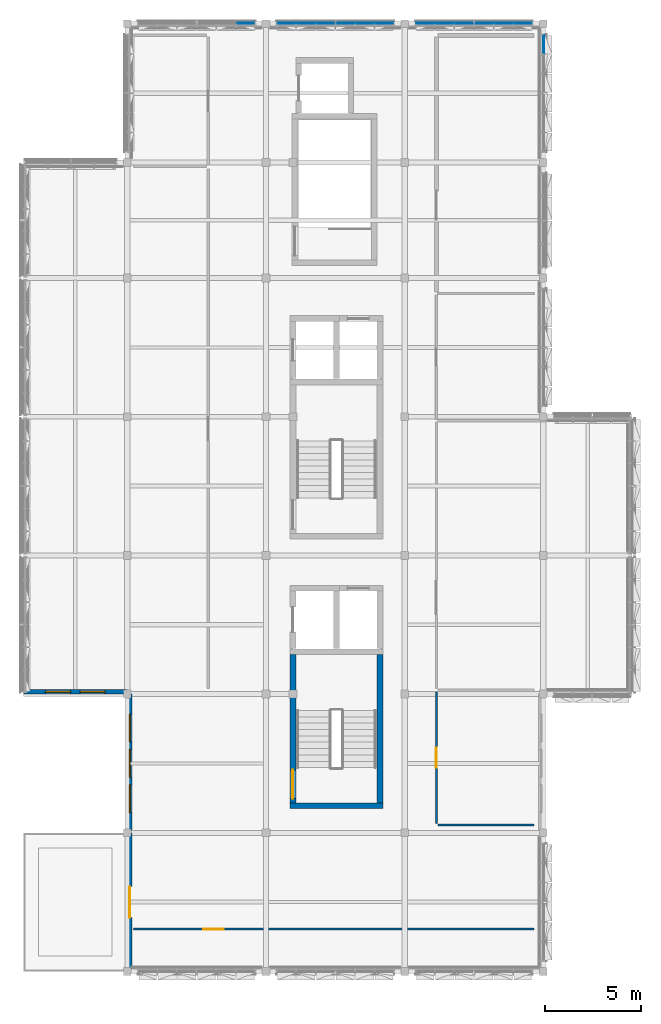
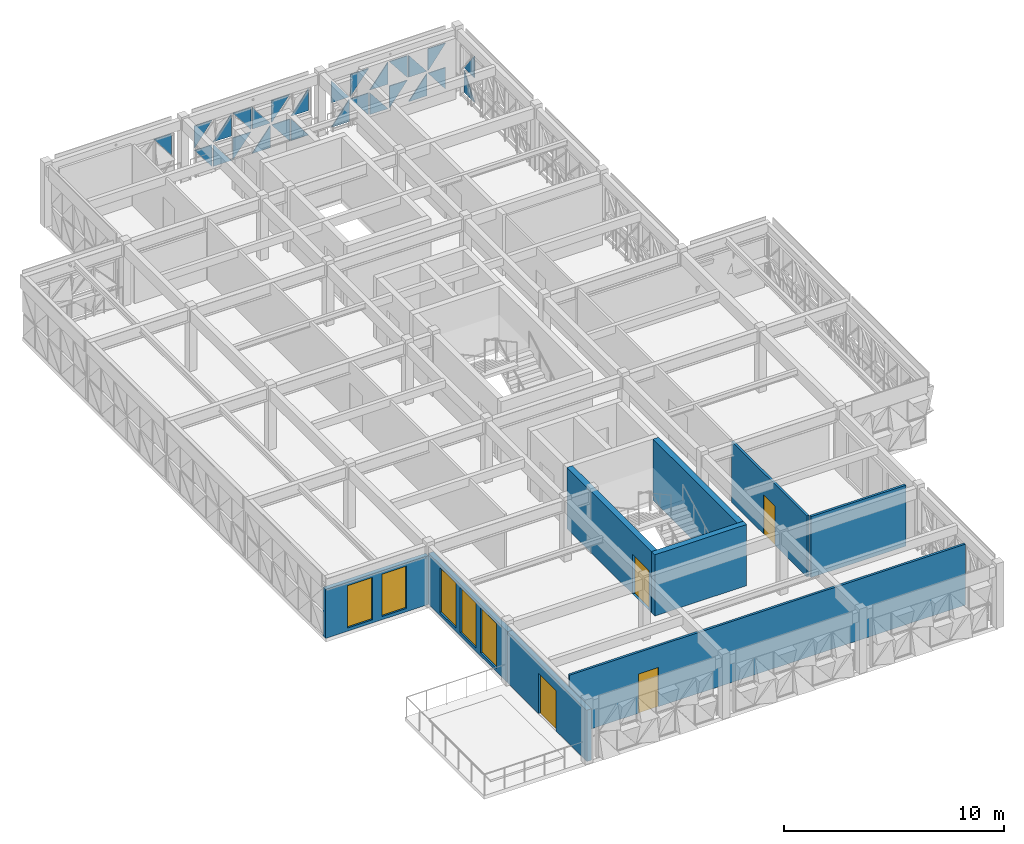
# One storey, part 15 of 25: 27 plates, 9 walls, 5 windows, 4 doors, 9 openings, 4 elements without a shape of their own.
"""IFC4 building model written with IfcOpenShell, lengths in metres."""

from ifc_helpers import new_model, si_unit, direction, frame, frame_2d, origin, place, context, subcontext, project, spatial, polyline, rectangle, outline, extrude, material, layer, layer_set, type_object, element, fill, aggregate, save


model = new_model("IFC4")

# Units and contexts
model_context = context("Model", 3, precision=1e-05, world=origin(), true_north=direction((0.0, 1.0)))
body_context = subcontext(model_context, "Body", "Model", "MODEL_VIEW")
ifc_project = project(units=[si_unit("LENGTHUNIT", "METRE"), si_unit("AREAUNIT", "SQUARE_METRE"), si_unit("VOLUMEUNIT", "CUBIC_METRE"), si_unit("PLANEANGLEUNIT", "RADIAN"), si_unit("MASSUNIT", "GRAM", prefix="KILO")], contexts=[model_context])

# Site, building, storey
site_placement = place(None, origin())
site = spatial("IfcSite", under=ifc_project, at=site_placement, CompositionType="ELEMENT")
building_placement = place(site_placement, origin())
building = spatial("IfcBuilding", under=site, at=building_placement, Name="Alvorim Cloister Faculty of Sciences", CompositionType="ELEMENT")
storey_placement = place(building_placement, frame((0.0, 0.0, 29.699951171875)))
storey = spatial("IfcBuildingStorey", under=building, at=storey_placement, Name="L08", CompositionType="ELEMENT", Elevation=29.699951171875)

# Curtain wall, plate
ifc_material_1 = material(Name="Aluminium and Low-E Glass Curtain Wall", Category="aluminium")
curtain_wall_type = type_object("IfcCurtainWallType", Name="CW-TRI-6120x2860", PredefinedType="USERDEFINED", material=ifc_material_1)
curtain_wall_1_placement = place(storey_placement, origin())
curtain_wall_1 = element("IfcCurtainWall", 1, at=curtain_wall_1_placement, inside=storey, type_object=curtain_wall_type, Name="L08 Diagonal Cassette Curtain Wall CW-0287", ObjectType="UNITISED CURTAIN WALL", PredefinedType="USERDEFINED")
ifc_material_2 = material(Name="Double Low-E Laminated Glass", Category="glass")
ifc_layer_1 = layer(ifc_material_2, 0.0400390625)
ifc_layer_set_1 = layer_set([ifc_layer_1], Name="Double Low-E Laminated Glass")
plate_type = type_object("IfcPlateType", Name="PN-GLZ-40", PredefinedType="CURTAIN_PANEL", material=ifc_layer_set_1)
plate_1_placement = place(storey_placement, frame((12.87255859375, 56.425048828125, 1.5), z_axis=(0.0, 0.0, 1.0), x_axis=(1.0, 0.0, 0.0)))
plate_1 = element("IfcPlate", 2, at=plate_1_placement, type_object=plate_type, Name="Diagonal Glazed Triangle TRI-TR", PredefinedType="CURTAIN_PANEL", context=body_context, shape_type="SweptSolid", body=[
    extrude(outline(polyline([(0.922607421875, 0.001953125), (0.922607421875, 1.219970703125), (0.001953125, 1.219970703125), (0.922607421875, 0.001953125)])), frame((0.0, 0.02490234375, 0.0), z_axis=(0.0, -1.0, 0.0), x_axis=(1.0, 0.0, 0.0)), (0.0, 0.0, 1.0), 0.050048828125),
])
aggregate(curtain_wall_1, [plate_1])

# Curtain wall, plates
curtain_wall_2_placement = place(storey_placement, origin())
curtain_wall_2 = element("IfcCurtainWall", 3, at=curtain_wall_2_placement, inside=storey, type_object=curtain_wall_type, Name="L08 Diagonal Cassette Curtain Wall CW-0288", ObjectType="UNITISED CURTAIN WALL", PredefinedType="USERDEFINED")
plate_2_placement = place(storey_placement, frame((15.0048828125, 56.425048828125, 0.14013671875), z_axis=(0.0, 0.0, 1.0), x_axis=(1.0, 0.0, 0.0)))
plate_2 = element("IfcPlate", 4, at=plate_2_placement, type_object=plate_type, Name="Diagonal Glazed Triangle TRI-TR", PredefinedType="CURTAIN_PANEL", context=body_context, shape_type="SweptSolid", body=[
    extrude(outline(polyline([(0.922607421875, 0.001953125), (0.922607421875, 1.219970703125), (0.001953125, 1.219970703125), (0.922607421875, 0.001953125)])), frame((0.0, 0.02490234375, 0.0), z_axis=(0.0, -1.0, 0.0), x_axis=(1.0, 0.0, 0.0)), (0.0, 0.0, 1.0), 0.050048828125),
])
plate_3_placement = place(storey_placement, frame((15.0048828125, 56.425048828125, 1.5), z_axis=(0.0, 0.0, 1.0), x_axis=(1.0, 0.0, 0.0)))
plate_3 = element("IfcPlate", 5, at=plate_3_placement, type_object=plate_type, Name="Diagonal Glazed Triangle TRI-TL", PredefinedType="CURTAIN_PANEL", context=body_context, shape_type="SweptSolid", body=[
    extrude(outline(polyline([(0.920654296875, 1.219970703125), (0.0, 1.219970703125), (0.0, 0.001953125), (0.920654296875, 1.219970703125)])), frame((0.0, 0.02490234375, 0.0), z_axis=(0.0, -1.0, 0.0), x_axis=(1.0, 0.0, 0.0)), (0.0, 0.0, 1.0), 0.050048828125),
])
plate_4_placement = place(storey_placement, frame((15.992431640625, 56.425048828125, 0.14013671875), z_axis=(0.0, 0.0, 1.0), x_axis=(1.0, 0.0, 0.0)))
plate_4 = element("IfcPlate", 6, at=plate_4_placement, type_object=plate_type, Name="Diagonal Glazed Triangle TRI-BL", PredefinedType="CURTAIN_PANEL", context=body_context, shape_type="SweptSolid", body=[
    extrude(outline(polyline([(0.0, 0.0), (0.953125, 0.0), (0.0, 1.218017578125), (0.0, 0.0)])), frame((0.0, 0.02490234375, 0.0), z_axis=(0.0, -1.0, 0.0), x_axis=(1.0, 0.0, 0.0)), (0.0, 0.0, 1.0), 0.050048828125),
])
plate_5_placement = place(storey_placement, frame((15.992431640625, 56.425048828125, 1.5), z_axis=(0.0, 0.0, 1.0), x_axis=(1.0, 0.0, 0.0)))
plate_5 = element("IfcPlate", 7, at=plate_5_placement, type_object=plate_type, Name="Diagonal Glazed Triangle TRI-BR", PredefinedType="CURTAIN_PANEL", context=body_context, shape_type="SweptSolid", body=[
    extrude(outline(polyline([(0.001953125, 0.0), (0.955078125, 0.0), (0.955078125, 1.218017578125), (0.001953125, 0.0)])), frame((0.0, 0.02490234375, 0.0), z_axis=(0.0, -1.0, 0.0), x_axis=(1.0, 0.0, 0.0)), (0.0, 0.0, 1.0), 0.050048828125),
])
plate_6_placement = place(storey_placement, frame((17.012451171875, 56.425048828125, 0.14013671875), z_axis=(0.0, 0.0, 1.0), x_axis=(1.0, 0.0, 0.0)))
plate_6 = element("IfcPlate", 8, at=plate_6_placement, type_object=plate_type, Name="Diagonal Glazed Triangle TRI-TL", PredefinedType="CURTAIN_PANEL", context=body_context, shape_type="SweptSolid", body=[
    extrude(outline(polyline([(0.953125, 1.219970703125), (0.0, 1.219970703125), (0.0, 0.001953125), (0.953125, 1.219970703125)])), frame((0.0, 0.02490234375, 0.0), z_axis=(0.0, -1.0, 0.0), x_axis=(1.0, 0.0, 0.0)), (0.0, 0.0, 1.0), 0.050048828125),
])
plate_7_placement = place(storey_placement, frame((17.012451171875, 56.425048828125, 1.5), z_axis=(0.0, 0.0, 1.0), x_axis=(1.0, 0.0, 0.0)))
plate_7 = element("IfcPlate", 9, at=plate_7_placement, type_object=plate_type, Name="Diagonal Glazed Triangle TRI-TR", PredefinedType="CURTAIN_PANEL", context=body_context, shape_type="SweptSolid", body=[
    extrude(outline(polyline([(0.955078125, 0.001953125), (0.955078125, 1.219970703125), (0.001953125, 1.219970703125), (0.955078125, 0.001953125)])), frame((0.0, 0.02490234375, 0.0), z_axis=(0.0, -1.0, 0.0), x_axis=(1.0, 0.0, 0.0)), (0.0, 0.0, 1.0), 0.050048828125),
])
plate_8_placement = place(storey_placement, frame((18.032470703125, 56.425048828125, 0.14013671875), z_axis=(0.0, 0.0, 1.0), x_axis=(1.0, 0.0, 0.0)))
plate_8 = element("IfcPlate", 10, at=plate_8_placement, type_object=plate_type, Name="Diagonal Glazed Triangle TRI-BR", PredefinedType="CURTAIN_PANEL", context=body_context, shape_type="SweptSolid", body=[
    extrude(outline(polyline([(0.001953125, 0.0), (0.955078125, 0.0), (0.955078125, 1.218017578125), (0.001953125, 0.0)])), frame((0.0, 0.02490234375, 0.0), z_axis=(0.0, -1.0, 0.0), x_axis=(1.0, 0.0, 0.0)), (0.0, 0.0, 1.0), 0.050048828125),
])
plate_9_placement = place(storey_placement, frame((18.032470703125, 56.425048828125, 1.5), z_axis=(0.0, 0.0, 1.0), x_axis=(1.0, 0.0, 0.0)))
plate_9 = element("IfcPlate", 11, at=plate_9_placement, type_object=plate_type, Name="Diagonal Glazed Triangle TRI-BL", PredefinedType="CURTAIN_PANEL", context=body_context, shape_type="SweptSolid", body=[
    extrude(outline(polyline([(0.0, 0.0), (0.953125, 0.0), (0.0, 1.218017578125), (0.0, 0.0)])), frame((0.0, 0.02490234375, 0.0), z_axis=(0.0, -1.0, 0.0), x_axis=(1.0, 0.0, 0.0)), (0.0, 0.0, 1.0), 0.050048828125),
])
plate_10_placement = place(storey_placement, frame((19.052490234375, 56.425048828125, 0.14013671875), z_axis=(0.0, 0.0, 1.0), x_axis=(1.0, 0.0, 0.0)))
plate_10 = element("IfcPlate", 12, at=plate_10_placement, type_object=plate_type, Name="Diagonal Glazed Triangle TRI-TR", PredefinedType="CURTAIN_PANEL", context=body_context, shape_type="SweptSolid", body=[
    extrude(outline(polyline([(0.955078125, 0.001953125), (0.955078125, 1.219970703125), (0.001953125, 1.219970703125), (0.955078125, 0.001953125)])), frame((0.0, 0.02490234375, 0.0), z_axis=(0.0, -1.0, 0.0), x_axis=(1.0, 0.0, 0.0)), (0.0, 0.0, 1.0), 0.050048828125),
])
plate_11_placement = place(storey_placement, frame((19.052490234375, 56.425048828125, 1.5), z_axis=(0.0, 0.0, 1.0), x_axis=(1.0, 0.0, 0.0)))
plate_11 = element("IfcPlate", 13, at=plate_11_placement, type_object=plate_type, Name="Diagonal Glazed Triangle TRI-TL", PredefinedType="CURTAIN_PANEL", context=body_context, shape_type="SweptSolid", body=[
    extrude(outline(polyline([(0.953125, 1.219970703125), (0.0, 1.219970703125), (0.0, 0.001953125), (0.953125, 1.219970703125)])), frame((0.0, 0.02490234375, 0.0), z_axis=(0.0, -1.0, 0.0), x_axis=(1.0, 0.0, 0.0)), (0.0, 0.0, 1.0), 0.050048828125),
])
plate_12_placement = place(storey_placement, frame((20.072509765625, 56.425048828125, 0.14013671875), z_axis=(0.0, 0.0, 1.0), x_axis=(1.0, 0.0, 0.0)))
plate_12 = element("IfcPlate", 14, at=plate_12_placement, type_object=plate_type, Name="Diagonal Glazed Triangle TRI-BL", PredefinedType="CURTAIN_PANEL", context=body_context, shape_type="SweptSolid", body=[
    extrude(outline(polyline([(0.0, 0.0), (0.920654296875, 0.0), (0.0, 1.218017578125), (0.0, 0.0)])), frame((0.0, 0.02490234375, 0.0), z_axis=(0.0, -1.0, 0.0), x_axis=(1.0, 0.0, 0.0)), (0.0, 0.0, 1.0), 0.050048828125),
])
plate_13_placement = place(storey_placement, frame((20.072509765625, 56.425048828125, 1.5), z_axis=(0.0, 0.0, 1.0), x_axis=(1.0, 0.0, 0.0)))
plate_13 = element("IfcPlate", 15, at=plate_13_placement, type_object=plate_type, Name="Diagonal Glazed Triangle TRI-BR", PredefinedType="CURTAIN_PANEL", context=body_context, shape_type="SweptSolid", body=[
    extrude(outline(polyline([(0.001953125, 0.0), (0.922607421875, 0.0), (0.922607421875, 1.218017578125), (0.001953125, 0.0)])), frame((0.0, 0.02490234375, 0.0), z_axis=(0.0, -1.0, 0.0), x_axis=(1.0, 0.0, 0.0)), (0.0, 0.0, 1.0), 0.050048828125),
])
aggregate(curtain_wall_2, [plate_2, plate_3, plate_4, plate_5, plate_6, plate_7, plate_8, plate_9, plate_10, plate_11, plate_12, plate_13])

curtain_wall_3_placement = place(storey_placement, origin())
curtain_wall_3 = element("IfcCurtainWall", 16, at=curtain_wall_3_placement, inside=storey, type_object=curtain_wall_type, Name="L08 Diagonal Cassette Curtain Wall CW-0289", ObjectType="UNITISED CURTAIN WALL", PredefinedType="USERDEFINED")
plate_14_placement = place(storey_placement, frame((22.205078125, 56.425048828125, 0.14013671875), z_axis=(0.0, 0.0, 1.0), x_axis=(1.0, 0.0, 0.0)))
plate_14 = element("IfcPlate", 17, at=plate_14_placement, type_object=plate_type, Name="Diagonal Glazed Triangle TRI-BR", PredefinedType="CURTAIN_PANEL", context=body_context, shape_type="SweptSolid", body=[
    extrude(outline(polyline([(0.001953125, 0.0), (0.922607421875, 0.0), (0.922607421875, 1.218017578125), (0.001953125, 0.0)])), frame((0.0, 0.02490234375, 0.0), z_axis=(0.0, -1.0, 0.0), x_axis=(1.0, 0.0, 0.0)), (0.0, 0.0, 1.0), 0.050048828125),
])
plate_15_placement = place(storey_placement, frame((22.205078125, 56.425048828125, 1.5), z_axis=(0.0, 0.0, 1.0), x_axis=(1.0, 0.0, 0.0)))
plate_15 = element("IfcPlate", 18, at=plate_15_placement, type_object=plate_type, Name="Diagonal Glazed Triangle TRI-BL", PredefinedType="CURTAIN_PANEL", context=body_context, shape_type="SweptSolid", body=[
    extrude(outline(polyline([(0.0, 0.0), (0.920654296875, 0.0), (0.0, 1.218017578125), (0.0, 0.0)])), frame((0.0, 0.02490234375, 0.0), z_axis=(0.0, -1.0, 0.0), x_axis=(1.0, 0.0, 0.0)), (0.0, 0.0, 1.0), 0.050048828125),
])
plate_16_placement = place(storey_placement, frame((23.1923828125, 56.425048828125, 0.14013671875), z_axis=(0.0, 0.0, 1.0), x_axis=(1.0, 0.0, 0.0)))
plate_16 = element("IfcPlate", 19, at=plate_16_placement, type_object=plate_type, Name="Diagonal Glazed Triangle TRI-TR", PredefinedType="CURTAIN_PANEL", context=body_context, shape_type="SweptSolid", body=[
    extrude(outline(polyline([(0.955078125, 0.001953125), (0.955078125, 1.219970703125), (0.001953125, 1.219970703125), (0.955078125, 0.001953125)])), frame((0.0, 0.02490234375, 0.0), z_axis=(0.0, -1.0, 0.0), x_axis=(1.0, 0.0, 0.0)), (0.0, 0.0, 1.0), 0.050048828125),
])
plate_17_placement = place(storey_placement, frame((23.1923828125, 56.425048828125, 1.5), z_axis=(0.0, 0.0, 1.0), x_axis=(1.0, 0.0, 0.0)))
plate_17 = element("IfcPlate", 20, at=plate_17_placement, type_object=plate_type, Name="Diagonal Glazed Triangle TRI-TL", PredefinedType="CURTAIN_PANEL", context=body_context, shape_type="SweptSolid", body=[
    extrude(outline(polyline([(0.953125, 1.219970703125), (0.0, 1.219970703125), (0.0, 0.001953125), (0.953125, 1.219970703125)])), frame((0.0, 0.02490234375, 0.0), z_axis=(0.0, -1.0, 0.0), x_axis=(1.0, 0.0, 0.0)), (0.0, 0.0, 1.0), 0.050048828125),
])
plate_18_placement = place(storey_placement, frame((24.21240234375, 56.425048828125, 0.14013671875), z_axis=(0.0, 0.0, 1.0), x_axis=(1.0, 0.0, 0.0)))
plate_18 = element("IfcPlate", 21, at=plate_18_placement, type_object=plate_type, Name="Diagonal Glazed Triangle TRI-BL", PredefinedType="CURTAIN_PANEL", context=body_context, shape_type="SweptSolid", body=[
    extrude(outline(polyline([(0.0, 0.0), (0.953125, 0.0), (0.0, 1.218017578125), (0.0, 0.0)])), frame((0.0, 0.02490234375, 0.0), z_axis=(0.0, -1.0, 0.0), x_axis=(1.0, 0.0, 0.0)), (0.0, 0.0, 1.0), 0.050048828125),
])
plate_19_placement = place(storey_placement, frame((24.21240234375, 56.425048828125, 1.5), z_axis=(0.0, 0.0, 1.0), x_axis=(1.0, 0.0, 0.0)))
plate_19 = element("IfcPlate", 22, at=plate_19_placement, type_object=plate_type, Name="Diagonal Glazed Triangle TRI-BR", PredefinedType="CURTAIN_PANEL", context=body_context, shape_type="SweptSolid", body=[
    extrude(outline(polyline([(0.001953125, 0.0), (0.955078125, 0.0), (0.955078125, 1.218017578125), (0.001953125, 0.0)])), frame((0.0, 0.02490234375, 0.0), z_axis=(0.0, -1.0, 0.0), x_axis=(1.0, 0.0, 0.0)), (0.0, 0.0, 1.0), 0.050048828125),
])
plate_20_placement = place(storey_placement, frame((25.232421875, 56.425048828125, 0.14013671875), z_axis=(0.0, 0.0, 1.0), x_axis=(1.0, 0.0, 0.0)))
plate_20 = element("IfcPlate", 23, at=plate_20_placement, type_object=plate_type, Name="Diagonal Glazed Triangle TRI-TL", PredefinedType="CURTAIN_PANEL", context=body_context, shape_type="SweptSolid", body=[
    extrude(outline(polyline([(0.953125, 1.219970703125), (0.0, 1.219970703125), (0.0, 0.001953125), (0.953125, 1.219970703125)])), frame((0.0, 0.02490234375, 0.0), z_axis=(0.0, -1.0, 0.0), x_axis=(1.0, 0.0, 0.0)), (0.0, 0.0, 1.0), 0.050048828125),
])
plate_21_placement = place(storey_placement, frame((25.232421875, 56.425048828125, 1.5), z_axis=(0.0, 0.0, 1.0), x_axis=(1.0, 0.0, 0.0)))
plate_21 = element("IfcPlate", 24, at=plate_21_placement, type_object=plate_type, Name="Diagonal Glazed Triangle TRI-TR", PredefinedType="CURTAIN_PANEL", context=body_context, shape_type="SweptSolid", body=[
    extrude(outline(polyline([(0.955078125, 0.001953125), (0.955078125, 1.219970703125), (0.001953125, 1.219970703125), (0.955078125, 0.001953125)])), frame((0.0, 0.02490234375, 0.0), z_axis=(0.0, -1.0, 0.0), x_axis=(1.0, 0.0, 0.0)), (0.0, 0.0, 1.0), 0.050048828125),
])
plate_22_placement = place(storey_placement, frame((26.25244140625, 56.425048828125, 0.14013671875), z_axis=(0.0, 0.0, 1.0), x_axis=(1.0, 0.0, 0.0)))
plate_22 = element("IfcPlate", 25, at=plate_22_placement, type_object=plate_type, Name="Diagonal Glazed Triangle TRI-BR", PredefinedType="CURTAIN_PANEL", context=body_context, shape_type="SweptSolid", body=[
    extrude(outline(polyline([(0.001953125, 0.0), (0.955078125, 0.0), (0.955078125, 1.218017578125), (0.001953125, 0.0)])), frame((0.0, 0.02490234375, 0.0), z_axis=(0.0, -1.0, 0.0), x_axis=(1.0, 0.0, 0.0)), (0.0, 0.0, 1.0), 0.050048828125),
])
plate_23_placement = place(storey_placement, frame((26.25244140625, 56.425048828125, 1.5), z_axis=(0.0, 0.0, 1.0), x_axis=(1.0, 0.0, 0.0)))
plate_23 = element("IfcPlate", 26, at=plate_23_placement, type_object=plate_type, Name="Diagonal Glazed Triangle TRI-BL", PredefinedType="CURTAIN_PANEL", context=body_context, shape_type="SweptSolid", body=[
    extrude(outline(polyline([(0.0, 0.0), (0.953125, 0.0), (0.0, 1.218017578125), (0.0, 0.0)])), frame((0.0, 0.02490234375, 0.0), z_axis=(0.0, -1.0, 0.0), x_axis=(1.0, 0.0, 0.0)), (0.0, 0.0, 1.0), 0.050048828125),
])
plate_24_placement = place(storey_placement, frame((27.2724609375, 56.425048828125, 0.14013671875), z_axis=(0.0, 0.0, 1.0), x_axis=(1.0, 0.0, 0.0)))
plate_24 = element("IfcPlate", 27, at=plate_24_placement, type_object=plate_type, Name="Diagonal Glazed Triangle TRI-TR", PredefinedType="CURTAIN_PANEL", context=body_context, shape_type="SweptSolid", body=[
    extrude(outline(polyline([(0.922607421875, 0.001953125), (0.922607421875, 1.219970703125), (0.001953125, 1.219970703125), (0.922607421875, 0.001953125)])), frame((0.0, 0.02490234375, 0.0), z_axis=(0.0, -1.0, 0.0), x_axis=(1.0, 0.0, 0.0)), (0.0, 0.0, 1.0), 0.050048828125),
])
plate_25_placement = place(storey_placement, frame((27.2724609375, 56.425048828125, 1.5), z_axis=(0.0, 0.0, 1.0), x_axis=(1.0, 0.0, 0.0)))
plate_25 = element("IfcPlate", 28, at=plate_25_placement, type_object=plate_type, Name="Diagonal Glazed Triangle TRI-TL", PredefinedType="CURTAIN_PANEL", context=body_context, shape_type="SweptSolid", body=[
    extrude(outline(polyline([(0.920654296875, 1.219970703125), (0.0, 1.219970703125), (0.0, 0.001953125), (0.920654296875, 1.219970703125)])), frame((0.0, 0.02490234375, 0.0), z_axis=(0.0, -1.0, 0.0), x_axis=(1.0, 0.0, 0.0)), (0.0, 0.0, 1.0), 0.050048828125),
])
aggregate(curtain_wall_3, [plate_14, plate_15, plate_16, plate_17, plate_18, plate_19, plate_20, plate_21, plate_22, plate_23, plate_24, plate_25])

curtain_wall_4_placement = place(storey_placement, origin())
curtain_wall_4 = element("IfcCurtainWall", 29, at=curtain_wall_4_placement, inside=storey, type_object=curtain_wall_type, Name="L08 Diagonal Cassette Curtain Wall CW-0290", ObjectType="UNITISED CURTAIN WALL", PredefinedType="USERDEFINED")
plate_26_placement = place(storey_placement, frame((28.824951171875, 54.87255859375, 0.14013671875), z_axis=(0.0, 0.0, 1.0), x_axis=(0.0, 1.0, 0.0)))
plate_26 = element("IfcPlate", 30, at=plate_26_placement, type_object=plate_type, Name="Diagonal Glazed Triangle TRI-BR", PredefinedType="CURTAIN_PANEL", context=body_context, shape_type="SweptSolid", body=[
    extrude(outline(polyline([(0.001953125, 0.0), (0.922607421875, 0.0), (0.922607421875, 1.218017578125), (0.001953125, 0.0)])), frame((0.0, 0.02490234375, 0.0), z_axis=(0.0, -1.0, 0.0), x_axis=(1.0, 0.0, 0.0)), (0.0, 0.0, 1.0), 0.050048828125),
])
plate_27_placement = place(storey_placement, frame((28.824951171875, 54.87255859375, 1.5), z_axis=(0.0, 0.0, 1.0), x_axis=(0.0, 1.0, 0.0)))
plate_27 = element("IfcPlate", 31, at=plate_27_placement, type_object=plate_type, Name="Diagonal Glazed Triangle TRI-BL", PredefinedType="CURTAIN_PANEL", context=body_context, shape_type="SweptSolid", body=[
    extrude(outline(polyline([(0.0, 0.0), (0.920654296875, 0.0), (0.0, 1.218017578125), (0.0, 0.0)])), frame((0.0, 0.02490234375, 0.0), z_axis=(0.0, -1.0, 0.0), x_axis=(1.0, 0.0, 0.0)), (0.0, 0.0, 1.0), 0.050048828125),
])
aggregate(curtain_wall_4, [plate_26, plate_27])

# Wall, opening, door
ifc_material_3 = material(Name="Cross-Laminated Timber CLT C24", Category="wood")
ifc_layer_2 = layer(ifc_material_3, 0.239990234375)
ifc_layer_set_2 = layer_set([ifc_layer_2], Name="Cross-Laminated Timber CLT C24")
wall_type_1 = type_object("IfcWallType", Name="WL-EXT-TMB-240", PredefinedType="SOLIDWALL", material=ifc_layer_set_2)
wall_1_placement = place(storey_placement, frame((7.320068359375, 7.199951171875, 0.0), z_axis=(0.0, 0.0, 1.0), x_axis=(0.0, 1.0, 0.0)))
wall_1 = element("IfcWall", 32, at=wall_1_placement, inside=storey, type_object=wall_type_1, Name="L08 Exterior Wall WL-0244", PredefinedType="SOLIDWALL", context=body_context, shape_type="SweptSolid", body=[
    extrude(rectangle(XDim=7.199951171875, YDim=0.239990234375, at=frame_2d((3.60009765625, 0.0))), origin(), (0.0, 0.0, 1.0), 2.85009765625),
])
opening_1_placement = place(wall_1_placement, frame((2.800048828125, 0.0, 0.0)))
opening_1 = element("IfcOpeningElement", 33, at=opening_1_placement, cuts=wall_1, Name="Opening TD-13", PredefinedType="OPENING", context=body_context, shape_type="SweptSolid", body=[
    extrude(rectangle(XDim=1.60009765625, YDim=2.25, at=frame_2d((0.800048828125, 1.125))), frame((0.0, 0.1318359375, 0.0), z_axis=(0.0, -1.0, 0.0), x_axis=(1.0, 0.0, 0.0)), (0.0, 0.0, 1.0), 0.263916015625),
])
ifc_material_4 = material(Name="Aluminium Alloy 6063-T6", Category="aluminium")
door_type_1 = type_object("IfcDoorType", Name="DR-TER-1600x2250", OperationType="NOTDEFINED", PredefinedType="DOOR", material=ifc_material_4)
door_1_placement = place(opening_1_placement, origin())
door_1 = element("IfcDoor", 34, at=door_1_placement, inside=storey, type_object=door_type_1, Name="L08 South-West Cantilever Sky Terrace Access Door TD-13", OperationType="DOUBLE_DOOR_SINGLE_SWING", OverallHeight=2.25, OverallWidth=1.60009765625, PredefinedType="DOOR", context=body_context, shape_type="SweptSolid", body=[
    extrude(rectangle(XDim=1.60009765625, YDim=2.25, at=frame_2d((0.800048828125, 1.125))), frame((0.0, 0.02490234375, 0.0), z_axis=(0.0, -1.0, 0.0), x_axis=(1.0, 0.0, 0.0)), (0.0, 0.0, 1.0), 0.050048828125),
])
fill(opening_1, door_1)

# Wall, openings, windows
wall_2_placement = place(storey_placement, frame((7.320068359375, 14.39990234375, 0.0), z_axis=(0.0, 0.0, 1.0), x_axis=(0.0, 1.0, 0.0)))
wall_2 = element("IfcWall", 35, at=wall_2_placement, inside=storey, type_object=wall_type_1, Name="L08 Exterior Wall WL-0245", PredefinedType="SOLIDWALL", context=body_context, shape_type="SweptSolid", body=[
    extrude(rectangle(XDim=7.2001953125, YDim=0.239990234375, at=frame_2d((3.60009765625, 0.0))), origin(), (0.0, 0.0, 1.0), 2.85009765625),
])
opening_2_placement = place(wall_2_placement, frame((1.03759765625, 0.0, 0.179931640625)))
opening_2 = element("IfcOpeningElement", 36, at=opening_2_placement, cuts=wall_2, Name="Opening W-17", PredefinedType="OPENING", context=body_context, shape_type="SweptSolid", body=[
    extrude(rectangle(XDim=1.449951171875, YDim=2.5, at=frame_2d((0.72509765625, 1.25))), frame((0.0, 0.1318359375, 0.0), z_axis=(0.0, -1.0, 0.0), x_axis=(1.0, 0.0, 0.0)), (0.0, 0.0, 1.0), 0.263916015625),
])
opening_3_placement = place(wall_2_placement, frame((2.875, 0.0, 0.179931640625)))
opening_3 = element("IfcOpeningElement", 37, at=opening_3_placement, cuts=wall_2, Name="Opening W-17", PredefinedType="OPENING", context=body_context, shape_type="SweptSolid", body=[
    extrude(rectangle(XDim=1.449951171875, YDim=2.5, at=frame_2d((0.72509765625, 1.25))), frame((0.0, 0.1318359375, 0.0), z_axis=(0.0, -1.0, 0.0), x_axis=(1.0, 0.0, 0.0)), (0.0, 0.0, 1.0), 0.263916015625),
])
opening_4_placement = place(wall_2_placement, frame((4.71240234375, 0.0, 0.179931640625)))
opening_4 = element("IfcOpeningElement", 38, at=opening_4_placement, cuts=wall_2, Name="Opening W-17", PredefinedType="OPENING", context=body_context, shape_type="SweptSolid", body=[
    extrude(rectangle(XDim=1.449951171875, YDim=2.5, at=frame_2d((0.72509765625, 1.25))), frame((0.0, 0.1318359375, 0.0), z_axis=(0.0, -1.0, 0.0), x_axis=(1.0, 0.0, 0.0)), (0.0, 0.0, 1.0), 0.263916015625),
])
window_type_1 = type_object("IfcWindowType", Name="WN-LAB-1450x2500", PartitioningType="SINGLE_PANEL", PredefinedType="WINDOW", material=ifc_material_2)
window_1_placement = place(opening_2_placement, origin())
window_1 = element("IfcWindow", 39, at=window_1_placement, inside=storey, type_object=window_type_1, Name="L08 Full-Height Entrance Atrium Glazed Bay WN-0261", OverallHeight=2.5, OverallWidth=1.449951171875, PartitioningType="SINGLE_PANEL", PredefinedType="WINDOW", context=body_context, shape_type="SweptSolid", body=[
    extrude(rectangle(XDim=1.449951171875, YDim=2.5, at=frame_2d((0.72509765625, 1.25))), frame((0.0, 0.030029296875, 0.0), z_axis=(0.0, -1.0, 0.0), x_axis=(1.0, 0.0, 0.0)), (0.0, 0.0, 1.0), 0.06005859375),
])
fill(opening_2, window_1)
window_2_placement = place(opening_3_placement, origin())
window_2 = element("IfcWindow", 40, at=window_2_placement, inside=storey, type_object=window_type_1, Name="L08 Full-Height Entrance Atrium Glazed Bay WN-0262", OverallHeight=2.5, OverallWidth=1.449951171875, PartitioningType="SINGLE_PANEL", PredefinedType="WINDOW", context=body_context, shape_type="SweptSolid", body=[
    extrude(rectangle(XDim=1.449951171875, YDim=2.5, at=frame_2d((0.72509765625, 1.25))), frame((0.0, 0.030029296875, 0.0), z_axis=(0.0, -1.0, 0.0), x_axis=(1.0, 0.0, 0.0)), (0.0, 0.0, 1.0), 0.06005859375),
])
fill(opening_3, window_2)
window_3_placement = place(opening_4_placement, origin())
window_3 = element("IfcWindow", 41, at=window_3_placement, inside=storey, type_object=window_type_1, Name="L08 Full-Height Entrance Atrium Glazed Bay WN-0263", OverallHeight=2.5, OverallWidth=1.449951171875, PartitioningType="SINGLE_PANEL", PredefinedType="WINDOW", context=body_context, shape_type="SweptSolid", body=[
    extrude(rectangle(XDim=1.449951171875, YDim=2.5, at=frame_2d((0.72509765625, 1.25))), frame((0.0, 0.030029296875, 0.0), z_axis=(0.0, -1.0, 0.0), x_axis=(1.0, 0.0, 0.0)), (0.0, 0.0, 1.0), 0.06005859375),
])
fill(opening_4, window_3)

wall_3_placement = place(storey_placement, frame((1.800048828125, 21.719970703125, 0.0), z_axis=(0.0, 0.0, 1.0), x_axis=(1.0, 0.0, 0.0)))
wall_3 = element("IfcWall", 42, at=wall_3_placement, inside=storey, type_object=wall_type_1, Name="L08 Exterior Wall WL-0246", PredefinedType="SOLIDWALL", context=body_context, shape_type="SweptSolid", body=[
    extrude(rectangle(XDim=5.39990234375, YDim=0.239990234375, at=frame_2d((2.699951171875, 0.0))), origin(), (0.0, 0.0, 1.0), 2.7060546875),
])
opening_5_placement = place(wall_3_placement, frame((1.14990234375, 0.0, 0.179931640625)))
opening_5 = element("IfcOpeningElement", 43, at=opening_5_placement, cuts=wall_3, Name="Opening W-21", PredefinedType="OPENING", context=body_context, shape_type="SweptSolid", body=[
    extrude(rectangle(XDim=1.300048828125, YDim=2.35009765625, at=frame_2d((0.64990234375, 1.175048828125))), frame((0.0, 0.1318359375, 0.0), z_axis=(0.0, -1.0, 0.0), x_axis=(1.0, 0.0, 0.0)), (0.0, 0.0, 1.0), 0.263916015625),
])
opening_6_placement = place(wall_3_placement, frame((2.949951171875, 0.0, 0.179931640625)))
opening_6 = element("IfcOpeningElement", 44, at=opening_6_placement, cuts=wall_3, Name="Opening W-21", PredefinedType="OPENING", context=body_context, shape_type="SweptSolid", body=[
    extrude(rectangle(XDim=1.300048828125, YDim=2.35009765625, at=frame_2d((0.64990234375, 1.175048828125))), frame((0.0, 0.1318359375, 0.0), z_axis=(0.0, -1.0, 0.0), x_axis=(1.0, 0.0, 0.0)), (0.0, 0.0, 1.0), 0.263916015625),
])
window_type_2 = type_object("IfcWindowType", Name="WN-OFF-1300x2350", PartitioningType="SINGLE_PANEL", PredefinedType="WINDOW", material=ifc_material_2)
window_4_placement = place(opening_5_placement, origin())
window_4 = element("IfcWindow", 45, at=window_4_placement, inside=storey, type_object=window_type_2, Name="L08 Full-Height Entrance Atrium Glazed Bay WN-0264", OverallHeight=2.35009765625, OverallWidth=1.300048828125, PartitioningType="SINGLE_PANEL", PredefinedType="WINDOW", context=body_context, shape_type="SweptSolid", body=[
    extrude(rectangle(XDim=1.300048828125, YDim=2.35009765625, at=frame_2d((0.64990234375, 1.175048828125))), frame((0.0, 0.030029296875, 0.0), z_axis=(0.0, -1.0, 0.0), x_axis=(1.0, 0.0, 0.0)), (0.0, 0.0, 1.0), 0.06005859375),
])
fill(opening_5, window_4)
window_5_placement = place(opening_6_placement, origin())
window_5 = element("IfcWindow", 46, at=window_5_placement, inside=storey, type_object=window_type_2, Name="L08 Full-Height Entrance Atrium Glazed Bay WN-0265", OverallHeight=2.35009765625, OverallWidth=1.300048828125, PartitioningType="SINGLE_PANEL", PredefinedType="WINDOW", context=body_context, shape_type="SweptSolid", body=[
    extrude(rectangle(XDim=1.300048828125, YDim=2.35009765625, at=frame_2d((0.64990234375, 1.175048828125))), frame((0.0, 0.030029296875, 0.0), z_axis=(0.0, -1.0, 0.0), x_axis=(1.0, 0.0, 0.0)), (0.0, 0.0, 1.0), 0.06005859375),
])
fill(opening_6, window_5)

# Wall, opening, door
ifc_material_5 = material(Name="Acoustic Gypsum Stud Partition", Category="gypsum")
ifc_layer_3 = layer(ifc_material_5, 0.1201171875)
ifc_layer_set_3 = layer_set([ifc_layer_3], Name="Acoustic Gypsum Stud Partition")
wall_type_2 = type_object("IfcWallType", Name="WL-PRT-120", PredefinedType="PARTITIONING", material=ifc_layer_set_3)
wall_4_placement = place(storey_placement, frame((7.530029296875, 9.39990234375, 0.0), z_axis=(0.0, 0.0, 1.0), x_axis=(1.0, 0.0, 0.0)))
wall_4 = element("IfcWall", 47, at=wall_4_placement, inside=storey, type_object=wall_type_2, Name="L08 Crown Deanery South Suite Partition IWL-0706", PredefinedType="PARTITIONING", context=body_context, shape_type="SweptSolid", body=[
    extrude(rectangle(XDim=20.7900390625, YDim=0.1201171875, at=frame_2d((10.39501953125, 0.0))), origin(), (0.0, 0.0, 1.0), 3.385009765625),
])
opening_7_placement = place(wall_4_placement, frame((3.614990234375, 0.0, 0.0)))
opening_7 = element("IfcOpeningElement", 48, at=opening_7_placement, cuts=wall_4, Name="Opening D-L08-214", PredefinedType="OPENING", context=body_context, shape_type="SweptSolid", body=[
    extrude(rectangle(XDim=1.050048828125, YDim=2.179931640625, at=frame_2d((0.52490234375, 1.08984375))), frame((0.0, 0.072021484375, 0.0), z_axis=(0.0, -1.0, 0.0), x_axis=(1.0, 0.0, 0.0)), (0.0, 0.0, 1.0), 0.14404296875),
])
ifc_material_6 = material(Name="Solid Acoustic Oak Timber", Category="wood")
door_type_2 = type_object("IfcDoorType", Name="DR-OFF-1050x2180", OperationType="NOTDEFINED", PredefinedType="DOOR", material=ifc_material_6)
door_2_placement = place(opening_7_placement, origin())
door_2 = element("IfcDoor", 49, at=door_2_placement, inside=storey, type_object=door_type_2, Name="Crown Deanery South Suite Door D-L08-214", OperationType="SINGLE_SWING_RIGHT", OverallHeight=2.179931640625, OverallWidth=1.050048828125, PredefinedType="DOOR", context=body_context, shape_type="SweptSolid", body=[
    extrude(rectangle(XDim=1.050048828125, YDim=2.179931640625, at=frame_2d((0.52490234375, 1.08984375))), frame((0.0, 0.02490234375, 0.0), z_axis=(0.0, -1.0, 0.0), x_axis=(1.0, 0.0, 0.0)), (0.0, 0.0, 1.0), 0.050048828125),
])
fill(opening_7, door_2)

wall_5_placement = place(storey_placement, frame((23.25, 14.8798828125, 0.0), z_axis=(0.0, 0.0, 1.0), x_axis=(0.0, 1.0, 0.0)))
wall_5 = element("IfcWall", 50, at=wall_5_placement, inside=storey, type_object=wall_type_2, Name="L08 Atrium East Council Chamber Partition IWL-0708", PredefinedType="PARTITIONING", context=body_context, shape_type="SweptSolid", body=[
    extrude(rectangle(XDim=6.840087890625, YDim=0.1201171875, at=frame_2d((3.419921875, 0.0))), origin(), (0.0, 0.0, 1.0), 3.385009765625),
])
opening_8_placement = place(wall_5_placement, frame((2.89501953125, 0.0, 0.0)))
opening_8 = element("IfcOpeningElement", 51, at=opening_8_placement, cuts=wall_5, Name="Opening D-L08-216", PredefinedType="OPENING", context=body_context, shape_type="SweptSolid", body=[
    extrude(rectangle(XDim=1.050048828125, YDim=2.179931640625, at=frame_2d((0.52490234375, 1.08984375))), frame((0.0, 0.072021484375, 0.0), z_axis=(0.0, -1.0, 0.0), x_axis=(1.0, 0.0, 0.0)), (0.0, 0.0, 1.0), 0.14404296875),
])
door_3_placement = place(opening_8_placement, origin())
door_3 = element("IfcDoor", 52, at=door_3_placement, inside=storey, type_object=door_type_2, Name="Atrium East Council Chamber Door D-L08-216", OperationType="SINGLE_SWING_RIGHT", OverallHeight=2.179931640625, OverallWidth=1.050048828125, PredefinedType="DOOR", context=body_context, shape_type="SweptSolid", body=[
    extrude(rectangle(XDim=1.050048828125, YDim=2.179931640625, at=frame_2d((0.52490234375, 1.08984375))), frame((0.0, 0.02490234375, 0.0), z_axis=(0.0, -1.0, 0.0), x_axis=(1.0, 0.0, 0.0)), (0.0, 0.0, 1.0), 0.050048828125),
])
fill(opening_8, door_3)

# Walls
wall_6_placement = place(storey_placement, frame((23.330078125, 14.800048828125, 0.0), z_axis=(0.0, 0.0, 1.0), x_axis=(1.0, 0.0, 0.0)))
element("IfcWall", 53, at=wall_6_placement, inside=storey, type_object=wall_type_2, Name="L08 Atrium East Council Chamber Partition IWL-0709", PredefinedType="PARTITIONING", context=body_context, shape_type="SweptSolid", body=[
    extrude(rectangle(XDim=4.989990234375, YDim=0.1201171875, at=frame_2d((2.4951171875, 0.0))), origin(), (0.0, 0.0, 1.0), 3.385009765625),
])
ifc_material_7 = material(Name="Concrete C40", Category="concrete")
ifc_layer_4 = layer(ifc_material_7, 0.300048828125)
ifc_layer_set_4 = layer_set([ifc_layer_4], Name="Concrete C40")
wall_type_3 = type_object("IfcWallType", Name="WL-SHR-300", PredefinedType="SHEAR", material=ifc_layer_set_4)
wall_7_placement = place(storey_placement, frame((15.64990234375, 15.800048828125, 0.0), z_axis=(0.0, 0.0, 1.0), x_axis=(1.0, 0.0, 0.0)))
element("IfcWall", 54, at=wall_7_placement, inside=storey, type_object=wall_type_3, Name="L08 CORE K1 Shear Wall IWL-0037", PredefinedType="SHEAR", context=body_context, shape_type="SweptSolid", body=[
    extrude(rectangle(XDim=4.820068359375, YDim=0.300048828125, at=frame_2d((2.41015625, 0.0))), origin(), (0.0, 0.0, 1.0), 3.400146484375),
])

# Wall, opening, door
wall_8_placement = place(storey_placement, frame((15.800048828125, 15.949951171875, 0.0), z_axis=(0.0, 0.0, 1.0), x_axis=(0.0, 1.0, 0.0)))
wall_8 = element("IfcWall", 55, at=wall_8_placement, inside=storey, type_object=wall_type_3, Name="L08 CORE K1 Shear Wall IWL-0039", PredefinedType="SHEAR", context=body_context, shape_type="SweptSolid", body=[
    extrude(rectangle(XDim=7.699951171875, YDim=0.300048828125, at=frame_2d((3.85009765625, 0.0))), origin(), (0.0, 0.0, 1.0), 3.400146484375),
])
opening_9_placement = place(wall_8_placement, frame((0.219970703125, 0.0, 0.0)))
opening_9 = element("IfcOpeningElement", 56, at=opening_9_placement, cuts=wall_8, Name="Opening SD-K1-L08", PredefinedType="OPENING", context=body_context, shape_type="SweptSolid", body=[
    extrude(rectangle(XDim=1.5, YDim=2.199951171875, at=frame_2d((0.75, 1.10009765625))), frame((0.0, 0.162109375, 0.0), z_axis=(0.0, -1.0, 0.0), x_axis=(1.0, 0.0, 0.0)), (0.0, 0.0, 1.0), 0.323974609375),
])
ifc_material_8 = material(Name="Galvanised Fire-Rated Steel", Category="steel")
door_type_3 = type_object("IfcDoorType", Name="DR-STR-1500x2200", OperationType="NOTDEFINED", PredefinedType="DOOR", material=ifc_material_8)
door_4_placement = place(opening_9_placement, origin())
door_4 = element("IfcDoor", 57, at=door_4_placement, inside=storey, type_object=door_type_3, Name="L08 Stair ST-01 Fire Door SD-K1-L08", OperationType="DOUBLE_DOOR_SINGLE_SWING", OverallHeight=2.199951171875, OverallWidth=1.5, PredefinedType="DOOR", context=body_context, shape_type="SweptSolid", body=[
    extrude(rectangle(XDim=1.5, YDim=2.199951171875, at=frame_2d((0.75, 1.10009765625))), frame((0.0, 0.02490234375, 0.0), z_axis=(0.0, -1.0, 0.0), x_axis=(1.0, 0.0, 0.0)), (0.0, 0.0, 1.0), 0.050048828125),
])
fill(opening_9, door_4)

# Wall
wall_9_placement = place(storey_placement, frame((20.320068359375, 15.949951171875, 0.0), z_axis=(0.0, 0.0, 1.0), x_axis=(0.0, 1.0, 0.0)))
element("IfcWall", 58, at=wall_9_placement, inside=storey, type_object=wall_type_3, Name="L08 CORE K1 Shear Wall IWL-0040", PredefinedType="SHEAR", context=body_context, shape_type="SweptSolid", body=[
    extrude(rectangle(XDim=7.699951171875, YDim=0.300048828125, at=frame_2d((3.85009765625, 0.0))), origin(), (0.0, 0.0, 1.0), 3.400146484375),
])

save(model, "model.ifc")
